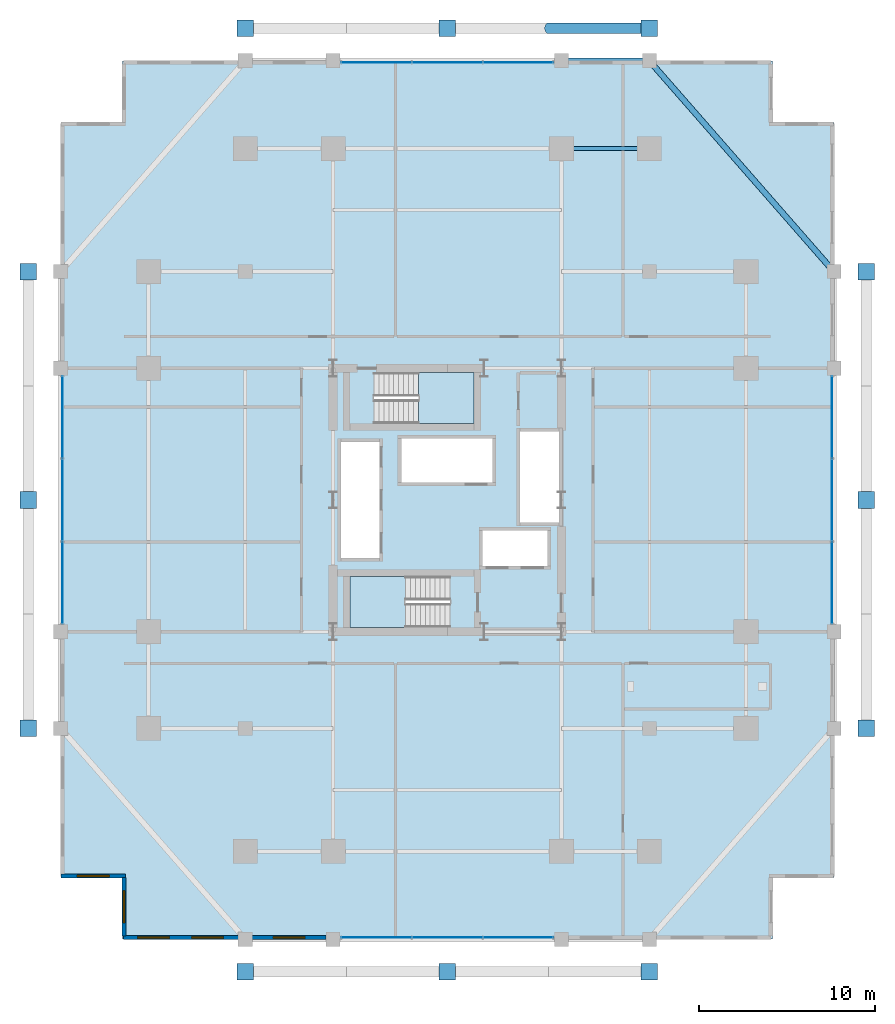
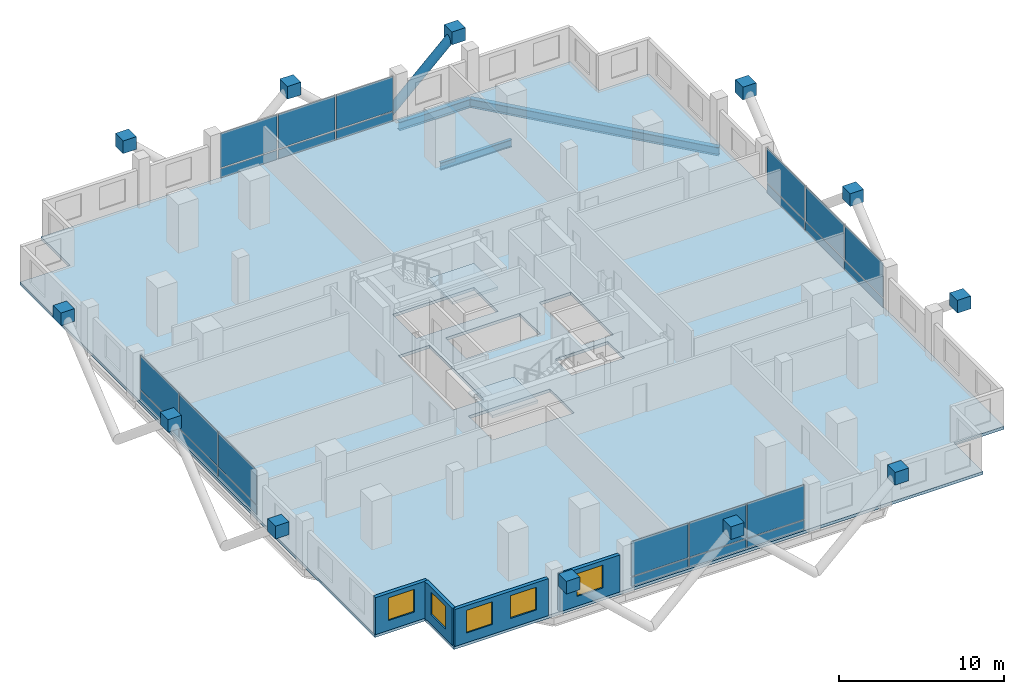
# One storey, part 16 of 21: 36 plates, 5 windows, 4 walls, 3 beams, 3 slabs, 1 member, 5 openings, 6 elements without a shape of their own.
"""IFC4 building model written with IfcOpenShell, lengths in metres."""

import ifcopenshell
import ifcopenshell.guid

model = None  # the IFC model being written
_history = None  # IfcOwnerHistory: only IFC2X3 demands one
_inside = {}  # id of a spatial element -> (the spatial element, [elements in it])
_under = {}  # id of a project, library or spatial element -> (it, [spatial elements below it])
_declared = {}  # id of a project -> (the project, [libraries it declares])
_typed = {}  # id of a type object -> (the type object, [elements of that type])
_made_of = {}  # id of a material, layer set ... -> (it, [elements and type objects made of it])


def new_model(schema):
    """Start an empty IFC model of exactly this schema.

    Asked for "IFC4X3", IfcOpenShell would pick the latest addendum, in which some entities
    have other attributes; the version numbers below select the first issue.
    IFC2X3 requires an IfcOwnerHistory on every rooted entity: one is made here for all.
    """
    global model, _history
    if schema == "IFC4X3":
        model = ifcopenshell.file(schema_version=(4, 3, 0, 0))
    else:
        model = ifcopenshell.file(schema=schema)
    _inside.clear()
    _under.clear()
    _declared.clear()
    _typed.clear()
    _made_of.clear()
    _history = None
    if model.schema == "IFC2X3":
        org = make("IfcOrganization", Name="unknown")
        user = make(
            "IfcPersonAndOrganization",
            ThePerson=make("IfcPerson", FamilyName="unknown"),
            TheOrganization=org,
        )
        app = make(
            "IfcApplication",
            ApplicationDeveloper=org,
            Version="unknown",
            ApplicationFullName="unknown",
            ApplicationIdentifier="unknown",
        )
        _history = make(
            "IfcOwnerHistory",
            OwningUser=user,
            OwningApplication=app,
            ChangeAction="ADDED",
            CreationDate=0,
        )
    return model


def make(cls, **values):
    """One entity of the class cls with the attributes given. An attribute that is None is left unset."""
    return model.create_entity(
        cls, **{name: value for name, value in values.items() if value is not None}
    )


def rooted(cls, **values):
    """An entity with a GlobalId (a new one), such as an element, a storey or a relation."""
    return make(cls, GlobalId=ifcopenshell.guid.new(), OwnerHistory=_history, **values)


def si_unit(unit_type, name, prefix=None):
    """IfcSIUnit, for example si_unit("LENGTHUNIT", "METRE", prefix="MILLI")."""
    return make("IfcSIUnit", UnitType=unit_type, Prefix=prefix, Name=name)


def assignment(units):
    """IfcUnitAssignment: the units of a project."""
    return None if units is None else make("IfcUnitAssignment", Units=units)


def point(xyz):
    """IfcCartesianPoint."""
    return None if xyz is None else make("IfcCartesianPoint", Coordinates=xyz)


def direction(xyz):
    """IfcDirection."""
    return None if xyz is None else make("IfcDirection", DirectionRatios=xyz)


def frame(location, z_axis=None, x_axis=None):
    """IfcAxis2Placement3D, a coordinate frame: its origin and axes. An axis left out is left unset."""
    return make(
        "IfcAxis2Placement3D",
        Location=point(location),
        Axis=direction(z_axis),
        RefDirection=direction(x_axis),
    )


def frame_2d(location, x_axis=None):
    """IfcAxis2Placement2D, a coordinate frame in the plane: its origin and x axis."""
    return make(
        "IfcAxis2Placement2D", Location=point(location), RefDirection=direction(x_axis)
    )


def origin():
    """The frame at (0, 0, 0) with its axes left unset."""
    return frame((0.0, 0.0, 0.0))


def origin_2d():
    """The frame at (0, 0) in the plane with its x axis left unset."""
    return frame_2d((0.0, 0.0))


def place(relative_to, where):
    """IfcLocalPlacement: puts the frame where relative to a parent placement (None: the world)."""
    return make(
        "IfcLocalPlacement", PlacementRelTo=relative_to, RelativePlacement=where
    )


def context(
    kind, dimensions, precision=None, world=None, true_north=None, identifier=None
):
    """IfcGeometricRepresentationContext, for example the 3D "Model" context."""
    return make(
        "IfcGeometricRepresentationContext",
        ContextIdentifier=identifier,
        ContextType=kind,
        CoordinateSpaceDimension=dimensions,
        Precision=precision,
        WorldCoordinateSystem=world,
        TrueNorth=true_north,
    )


def subcontext(parent, identifier, kind, view, scale=None):
    """IfcGeometricRepresentationSubContext, for example "Body" below "Model"."""
    return make(
        "IfcGeometricRepresentationSubContext",
        ContextIdentifier=identifier,
        ContextType=kind,
        ParentContext=parent,
        TargetScale=scale,
        TargetView=view,
    )


def project(units=None, contexts=None):
    """IfcProject with its units and contexts."""
    return rooted(
        "IfcProject",
        Name="project",
        RepresentationContexts=contexts,
        UnitsInContext=assignment(units),
    )


def spatial(cls, under=None, at=None, **own):
    """A site, building, storey or space (cls), placed at a placement, below another one or the project."""
    s = rooted(cls, ObjectPlacement=at, **own)
    if under is not None:
        _under.setdefault(under.id(), (under, []))[1].append(s)
    return s


def polyline(points):
    """IfcPolyline through the points."""
    return make("IfcPolyline", Points=[point(p) for p in points])


def profile(cls, at=None, kind="AREA", **sizes):
    """A parametric profile (cls). Its sizes go by their IFC names, for example OverallWidth=200.0."""
    return make(cls, ProfileType=kind, Position=at, **sizes)


def rectangle(**sizes):
    """IfcRectangleProfileDef."""
    return profile("IfcRectangleProfileDef", **sizes)


def hollow_circle(**sizes):
    """IfcCircleHollowProfileDef."""
    return profile("IfcCircleHollowProfileDef", **sizes)


def i_section(**sizes):
    """IfcIShapeProfileDef."""
    return profile("IfcIShapeProfileDef", **sizes)


def outline(outer, holes=None, kind="AREA"):
    """IfcArbitraryClosedProfileDef: a profile drawn as a closed curve; with holes, ...WithVoids."""
    if holes is None:
        return make("IfcArbitraryClosedProfileDef", ProfileType=kind, OuterCurve=outer)
    return make(
        "IfcArbitraryProfileDefWithVoids",
        ProfileType=kind,
        OuterCurve=outer,
        InnerCurves=holes,
    )


def extrude(swept, where, along, depth):
    """IfcExtrudedAreaSolid: the profile swept, set in the frame where, extruded along a direction by depth."""
    return make(
        "IfcExtrudedAreaSolid",
        SweptArea=swept,
        Position=where,
        ExtrudedDirection=direction(along),
        Depth=depth,
    )


def shape(context_of_items, identifier, shape_type, items):
    """IfcShapeRepresentation: the items that make up one representation, for example the "Body"."""
    return make(
        "IfcShapeRepresentation",
        ContextOfItems=context_of_items,
        RepresentationIdentifier=identifier,
        RepresentationType=shape_type,
        Items=items,
    )


def material(Name=None, Category=None):
    """IfcMaterial."""
    return make("IfcMaterial", Name=Name, Category=Category)


def layer(
    of_material, thickness, ventilated=None, Name=None, Category=None, Priority=None
):
    """IfcMaterialLayer: one layer of a wall or slab, of a material (None: an air gap)."""
    return make(
        "IfcMaterialLayer",
        Material=of_material,
        LayerThickness=thickness,
        IsVentilated=ventilated,
        Name=Name,
        Category=Category,
        Priority=Priority,
    )


def layer_set(layers, Name=None):
    """IfcMaterialLayerSet."""
    return make("IfcMaterialLayerSet", MaterialLayers=layers, LayerSetName=Name)


def material_profile(
    of_material, cross_section, Name=None, Category=None, Priority=None
):
    """IfcMaterialProfile: a cross section and its material."""
    return make(
        "IfcMaterialProfile",
        Name=Name,
        Material=of_material,
        Profile=cross_section,
        Priority=Priority,
        Category=Category,
    )


def profile_set(profiles, Name=None, composite=None):
    """IfcMaterialProfileSet."""
    return make(
        "IfcMaterialProfileSet",
        Name=Name,
        MaterialProfiles=profiles,
        CompositeProfile=composite,
    )


def made_of(thing, what):
    """Note that an element or type object is made of a material, layer set ...; save() writes the relation."""
    if what is not None:
        _made_of.setdefault(what.id(), (what, []))[1].append(thing)
    return thing


def type_object(cls, material=None, **own):
    """A type object (cls), such as IfcWallType, which elements share."""
    return made_of(rooted(cls, **own), material)


def element(
    cls,
    number,
    at=None,
    inside=None,
    cuts=None,
    type_object=None,
    material=None,
    context=None,
    identifier="Body",
    shape_type=None,
    held_by="IfcProductDefinitionShape",
    body=None,
    shapes=None,
    **own,
):
    """One element of the class cls, such as IfcWall. Its Tag is "e" and its number.

    at: its placement. inside: the storey or other place that contains it. cuts: it is an
    opening in that element (IfcRelVoidsElement). A single representation is given by context,
    identifier, shape_type and body (its items); several are given by shapes. held_by: the class
    of the entity that holds the representations. save() writes the other relations.
    """
    e = rooted(cls, Tag="e%d" % number, ObjectPlacement=at, **own)
    if body is not None:
        shapes = [shape(context, identifier, shape_type, body)]
    if shapes is not None:
        e.Representation = make(held_by, Representations=shapes)
    if inside is not None:
        _inside.setdefault(inside.id(), (inside, []))[1].append(e)
    if cuts is not None:
        rooted(
            "IfcRelVoidsElement", RelatingBuildingElement=cuts, RelatedOpeningElement=e
        )
    if type_object is not None:
        _typed.setdefault(type_object.id(), (type_object, []))[1].append(e)
    return made_of(e, material)


def fill(opening, filler):
    """IfcRelFillsElement: the door or window that sits in an opening."""
    return rooted(
        "IfcRelFillsElement",
        RelatingOpeningElement=opening,
        RelatedBuildingElement=filler,
    )


def aggregate(whole, parts):
    """IfcRelAggregates: a whole, such as a stair, and the parts it consists of."""
    return rooted("IfcRelAggregates", RelatingObject=whole, RelatedObjects=parts)


def save(model, path):
    """Write the relations noted so far, then the file.

    IfcRelAggregates (storeys below a building ...), IfcRelContainedInSpatialStructure (elements
    in a storey), IfcRelDefinesByType, IfcRelAssociatesMaterial and IfcRelDeclares: one each for
    every whole, place, type object, material and project.
    """
    for whole, parts in _under.values():
        aggregate(whole, parts)
    for where, things in _inside.values():
        rooted(
            "IfcRelContainedInSpatialStructure",
            RelatedElements=things,
            RelatingStructure=where,
        )
    for kind, things in _typed.values():
        rooted("IfcRelDefinesByType", RelatedObjects=things, RelatingType=kind)
    for what, things in _made_of.values():
        rooted("IfcRelAssociatesMaterial", RelatedObjects=things, RelatingMaterial=what)
    for by, libraries in _declared.values():
        rooted("IfcRelDeclares", RelatingContext=by, RelatedDefinitions=libraries)
    model.write(path)


model = new_model("IFC4")

# Units and contexts
model_context = context("Model", 3, precision=1e-05, world=origin(), true_north=direction((0.0, 1.0)))
body_context = subcontext(model_context, "Body", "Model", "MODEL_VIEW")
ifc_project = project(units=[si_unit("LENGTHUNIT", "METRE"), si_unit("AREAUNIT", "SQUARE_METRE"), si_unit("VOLUMEUNIT", "CUBIC_METRE"), si_unit("PLANEANGLEUNIT", "RADIAN"), si_unit("MASSUNIT", "GRAM", prefix="KILO")], contexts=[model_context])

# Site, building, storey
site_placement = place(None, origin())
site = spatial("IfcSite", under=ifc_project, at=site_placement, CompositionType="ELEMENT")
building_placement = place(site_placement, origin())
building = spatial("IfcBuilding", under=site, at=building_placement, Name="Barlavira Tower and Art Museum", CompositionType="ELEMENT")
storey_placement = place(building_placement, frame((0.0, 0.0, 79.199951171875)))
storey = spatial("IfcBuildingStorey", under=building, at=storey_placement, Name="L19", CompositionType="ELEMENT", Elevation=79.199951171875)

# Member
ifc_material_1 = material(Name="Steel S355", Category="steel")
ifc_material_profile_1 = material_profile(ifc_material_1, hollow_circle(Radius=0.304931640625, WallThickness=0.028076171875, at=origin_2d()), Name="CHS 610.0x28.0")
ifc_profile_set_1 = profile_set([ifc_material_profile_1], Name="Steel S355")
member_type = type_object("IfcMemberType", Name="Pale-Metal Exoskeleton Diagrid Tube CHS 610x28 Steel S355", PredefinedType="BRACE", material=ifc_profile_set_1)
member_placement = place(storey_placement, frame((5.75, 26.85009765625, -1.919921875), z_axis=(0.728950095515, 0.0, 0.684566839869), x_axis=(0.0, 1.0, 0.0)))
element("IfcMember", 1, at=member_placement, inside=storey, type_object=member_type, Name="L19 Exoskeleton Diagrid Tube N", PredefinedType="BRACE", context=body_context, shape_type="SweptSolid", body=[
    extrude(hollow_circle(Radius=0.304931640625, WallThickness=0.028076171875, at=origin_2d()), origin(), (0.0, 0.0, 1.0), 7.887939453125),
])

# Beams
ifc_material_profile_2 = material_profile(ifc_material_1, i_section(OverallWidth=0.327880859375, OverallDepth=0.62890625, WebThickness=0.013916015625, FlangeThickness=0.021484375, at=origin_2d()), Name="W610x174.0")
ifc_profile_set_2 = profile_set([ifc_material_profile_2], Name="Steel S355")
beam_type_1 = type_object("IfcBeamType", Name="Perimeter Spandrel Edge Beam W610x174 Steel S355", PredefinedType="SPANDREL", material=ifc_profile_set_2)
beam_1_placement = place(storey_placement, frame((22.0, 13.0, -0.534423828125), z_axis=(-0.658504607869, 0.752576694707, 0.0), x_axis=(-0.752576694707, -0.658504607869, 0.0)))
element("IfcBeam", 2, at=beam_1_placement, inside=storey, type_object=beam_type_1, Name="L19 Spandrel 8", PredefinedType="SPANDREL", context=body_context, shape_type="SweptSolid", body=[
    extrude(i_section(OverallWidth=0.327880859375, OverallDepth=0.62890625, WebThickness=0.013916015625, FlangeThickness=0.021484375, at=origin_2d()), origin(), (0.0, 0.0, 1.0), 15.9453125),
])
beam_2_placement = place(storey_placement, frame((6.5, 25.0, -0.534423828125), z_axis=(1.0, 0.0, 0.0), x_axis=(0.0, 1.0, 0.0)))
element("IfcBeam", 3, at=beam_2_placement, inside=storey, type_object=beam_type_1, Name="L19 Spandrel 9", PredefinedType="SPANDREL", context=body_context, shape_type="SweptSolid", body=[
    extrude(i_section(OverallWidth=0.327880859375, OverallDepth=0.62890625, WebThickness=0.013916015625, FlangeThickness=0.021484375, at=origin_2d()), origin(), (0.0, 0.0, 1.0), 5.0),
])
ifc_material_profile_3 = material_profile(ifc_material_1, i_section(OverallWidth=0.214111328125, OverallDepth=0.549072265625, WebThickness=0.0146484375, FlangeThickness=0.023681640625, at=origin_2d()), Name="W530x138.0")
ifc_profile_set_3 = profile_set([ifc_material_profile_3], Name="Steel S355")
beam_type_2 = type_object("IfcBeamType", Name="Zone 1 Primary Floor Girder W530x138 Steel S355", PredefinedType="BEAM", material=ifc_profile_set_3)
beam_3_placement = place(storey_placement, frame((6.5, 20.0, -0.494384765625), z_axis=(1.0, 0.0, 0.0), x_axis=(0.0, 1.0, 0.0)))
element("IfcBeam", 4, at=beam_3_placement, inside=storey, type_object=beam_type_2, Name="L19 Girder M-N3", PredefinedType="BEAM", context=body_context, shape_type="SweptSolid", body=[
    extrude(i_section(OverallWidth=0.214111328125, OverallDepth=0.549072265625, WebThickness=0.0146484375, FlangeThickness=0.023681640625, at=origin_2d()), origin(), (0.0, 0.0, 1.0), 5.0),
])

# Curtain wall, plates
ifc_material_2 = material(Name="Low-iron coastal laminated glass", Category="glass")
ifc_layer_1 = layer(ifc_material_2, 0.179931640625, Name="Low-iron coastal laminated glass")
ifc_layer_set_1 = layer_set([ifc_layer_1], Name="Low-iron coastal laminated glass")
curtain_wall_type = type_object("IfcCurtainWallType", Name="Pale-Metal Unitised Curtain Wall Zone 1", PredefinedType="NOTDEFINED", material=ifc_layer_set_1)
curtain_wall_1_placement = place(storey_placement, origin())
curtain_wall_1 = element("IfcCurtainWall", 5, at=curtain_wall_1_placement, inside=storey, type_object=curtain_wall_type, Name="L19 Curtain Wall CW1-L19-S-B3", PredefinedType="NOTDEFINED")
ifc_material_3 = material(Name="Pale anodised aluminium", Category="aluminium")
ifc_layer_2 = layer(ifc_material_3, 0.044921875, Name="Pale anodised aluminium")
ifc_layer_set_2 = layer_set([ifc_layer_2], Name="Pale anodised aluminium")
plate_type_1 = type_object("IfcPlateType", Name="Curtain Wall Pale-Metal Spandrel Panel 45", PredefinedType="CURTAIN_PANEL", material=ifc_layer_set_2)
plate_1_placement = place(storey_placement, frame((-4.05322265625, -24.89990234375, 0.0400390625), z_axis=(0.0, 0.0, 1.0), x_axis=(1.0, 0.0, 0.0)))
plate_1 = element("IfcPlate", 6, at=plate_1_placement, type_object=plate_type_1, Name="CW1-L19-S-B3 Spandrel Panel 0", PredefinedType="CURTAIN_PANEL", context=body_context, shape_type="SweptSolid", body=[
    extrude(rectangle(XDim=3.953369140625, YDim=0.044921875, at=origin_2d()), origin(), (0.0, 0.0, 1.0), 0.6640625),
])
plate_2_placement = place(storey_placement, frame((0.0, -24.89990234375, 0.0400390625), z_axis=(0.0, 0.0, 1.0), x_axis=(1.0, 0.0, 0.0)))
plate_2 = element("IfcPlate", 7, at=plate_2_placement, type_object=plate_type_1, Name="CW1-L19-S-B3 Spandrel Panel 1", PredefinedType="CURTAIN_PANEL", context=body_context, shape_type="SweptSolid", body=[
    extrude(rectangle(XDim=3.953369140625, YDim=0.044921875, at=origin_2d()), origin(), (0.0, 0.0, 1.0), 0.6640625),
])
plate_3_placement = place(storey_placement, frame((4.05322265625, -24.89990234375, 0.0400390625), z_axis=(0.0, 0.0, 1.0), x_axis=(1.0, 0.0, 0.0)))
plate_3 = element("IfcPlate", 8, at=plate_3_placement, type_object=plate_type_1, Name="CW1-L19-S-B3 Spandrel Panel 2", PredefinedType="CURTAIN_PANEL", context=body_context, shape_type="SweptSolid", body=[
    extrude(rectangle(XDim=3.953369140625, YDim=0.044921875, at=origin_2d()), origin(), (0.0, 0.0, 1.0), 0.6640625),
])

curtain_wall_2_placement = place(storey_placement, origin())
curtain_wall_2 = element("IfcCurtainWall", 9, at=curtain_wall_2_placement, inside=storey, type_object=curtain_wall_type, Name="L19 Curtain Wall CW1-L19-N-B3", PredefinedType="NOTDEFINED")
plate_4_placement = place(storey_placement, frame((4.05322265625, 24.89990234375, 0.0400390625), z_axis=(0.0, 0.0, 1.0), x_axis=(-1.0, 0.0, 0.0)))
plate_4 = element("IfcPlate", 10, at=plate_4_placement, type_object=plate_type_1, Name="CW1-L19-N-B3 Spandrel Panel 0", PredefinedType="CURTAIN_PANEL", context=body_context, shape_type="SweptSolid", body=[
    extrude(rectangle(XDim=3.953369140625, YDim=0.044921875, at=origin_2d()), origin(), (0.0, 0.0, 1.0), 0.6640625),
])
plate_5_placement = place(storey_placement, frame((0.0, 24.89990234375, 0.0400390625), z_axis=(0.0, 0.0, 1.0), x_axis=(-1.0, 0.0, 0.0)))
plate_5 = element("IfcPlate", 11, at=plate_5_placement, type_object=plate_type_1, Name="CW1-L19-N-B3 Spandrel Panel 1", PredefinedType="CURTAIN_PANEL", context=body_context, shape_type="SweptSolid", body=[
    extrude(rectangle(XDim=3.953369140625, YDim=0.044921875, at=origin_2d()), origin(), (0.0, 0.0, 1.0), 0.6640625),
])
plate_6_placement = place(storey_placement, frame((-4.05322265625, 24.89990234375, 0.0400390625), z_axis=(0.0, 0.0, 1.0), x_axis=(-1.0, 0.0, 0.0)))
plate_6 = element("IfcPlate", 12, at=plate_6_placement, type_object=plate_type_1, Name="CW1-L19-N-B3 Spandrel Panel 2", PredefinedType="CURTAIN_PANEL", context=body_context, shape_type="SweptSolid", body=[
    extrude(rectangle(XDim=3.953369140625, YDim=0.044921875, at=origin_2d()), origin(), (0.0, 0.0, 1.0), 0.6640625),
])

curtain_wall_3_placement = place(storey_placement, origin())
curtain_wall_3 = element("IfcCurtainWall", 13, at=curtain_wall_3_placement, inside=storey, type_object=curtain_wall_type, Name="L19 Curtain Wall CW1-L19-W-B3", PredefinedType="NOTDEFINED")
plate_7_placement = place(storey_placement, frame((-21.89990234375, 4.719970703125, 0.0400390625), z_axis=(0.0, 0.0, 1.0), x_axis=(0.0, -1.0, 0.0)))
plate_7 = element("IfcPlate", 14, at=plate_7_placement, type_object=plate_type_1, Name="CW1-L19-W-B3 Spandrel Panel 0", PredefinedType="CURTAIN_PANEL", context=body_context, shape_type="SweptSolid", body=[
    extrude(rectangle(XDim=4.6201171875, YDim=0.044921875, at=origin_2d()), origin(), (0.0, 0.0, 1.0), 0.6640625),
])
plate_8_placement = place(storey_placement, frame((-21.89990234375, 0.0, 0.0400390625), z_axis=(0.0, 0.0, 1.0), x_axis=(0.0, -1.0, 0.0)))
plate_8 = element("IfcPlate", 15, at=plate_8_placement, type_object=plate_type_1, Name="CW1-L19-W-B3 Spandrel Panel 1", PredefinedType="CURTAIN_PANEL", context=body_context, shape_type="SweptSolid", body=[
    extrude(rectangle(XDim=4.6201171875, YDim=0.044921875, at=origin_2d()), origin(), (0.0, 0.0, 1.0), 0.6640625),
])
plate_9_placement = place(storey_placement, frame((-21.89990234375, -4.719970703125, 0.0400390625), z_axis=(0.0, 0.0, 1.0), x_axis=(0.0, -1.0, 0.0)))
plate_9 = element("IfcPlate", 16, at=plate_9_placement, type_object=plate_type_1, Name="CW1-L19-W-B3 Spandrel Panel 2", PredefinedType="CURTAIN_PANEL", context=body_context, shape_type="SweptSolid", body=[
    extrude(rectangle(XDim=4.6201171875, YDim=0.044921875, at=origin_2d()), origin(), (0.0, 0.0, 1.0), 0.6640625),
])

curtain_wall_4_placement = place(storey_placement, origin())
curtain_wall_4 = element("IfcCurtainWall", 17, at=curtain_wall_4_placement, inside=storey, type_object=curtain_wall_type, Name="L19 Curtain Wall CW1-L19-E-B3", PredefinedType="NOTDEFINED")
plate_10_placement = place(storey_placement, frame((21.89990234375, -4.719970703125, 0.0400390625), z_axis=(0.0, 0.0, 1.0), x_axis=(0.0, 1.0, 0.0)))
plate_10 = element("IfcPlate", 18, at=plate_10_placement, type_object=plate_type_1, Name="CW1-L19-E-B3 Spandrel Panel 0", PredefinedType="CURTAIN_PANEL", context=body_context, shape_type="SweptSolid", body=[
    extrude(rectangle(XDim=4.6201171875, YDim=0.044921875, at=origin_2d()), origin(), (0.0, 0.0, 1.0), 0.6640625),
])
plate_11_placement = place(storey_placement, frame((21.89990234375, 0.0, 0.0400390625), z_axis=(0.0, 0.0, 1.0), x_axis=(0.0, 1.0, 0.0)))
plate_11 = element("IfcPlate", 19, at=plate_11_placement, type_object=plate_type_1, Name="CW1-L19-E-B3 Spandrel Panel 1", PredefinedType="CURTAIN_PANEL", context=body_context, shape_type="SweptSolid", body=[
    extrude(rectangle(XDim=4.6201171875, YDim=0.044921875, at=origin_2d()), origin(), (0.0, 0.0, 1.0), 0.6640625),
])
plate_12_placement = place(storey_placement, frame((21.89990234375, 4.719970703125, 0.0400390625), z_axis=(0.0, 0.0, 1.0), x_axis=(0.0, 1.0, 0.0)))
plate_12 = element("IfcPlate", 20, at=plate_12_placement, type_object=plate_type_1, Name="CW1-L19-E-B3 Spandrel Panel 2", PredefinedType="CURTAIN_PANEL", context=body_context, shape_type="SweptSolid", body=[
    extrude(rectangle(XDim=4.6201171875, YDim=0.044921875, at=origin_2d()), origin(), (0.0, 0.0, 1.0), 0.6640625),
])

# Plate
ifc_layer_3 = layer(ifc_material_2, 0.028076171875, Name="Low-iron coastal laminated glass")
ifc_layer_set_3 = layer_set([ifc_layer_3], Name="Low-iron coastal laminated glass")
plate_type_2 = type_object("IfcPlateType", Name="Curtain Wall Vision Glazing Panel 28", PredefinedType="CURTAIN_PANEL", material=ifc_layer_set_3)
plate_13_placement = place(storey_placement, frame((-4.05322265625, -24.89990234375, 0.7841796875), z_axis=(0.0, 0.0, 1.0), x_axis=(1.0, 0.0, 0.0)))
plate_13 = element("IfcPlate", 21, at=plate_13_placement, type_object=plate_type_2, Name="CW1-L19-S-B3 Vision Glass Panel 0", PredefinedType="CURTAIN_PANEL", context=body_context, shape_type="SweptSolid", body=[
    extrude(rectangle(XDim=3.953369140625, YDim=0.028076171875, at=origin_2d()), origin(), (0.0, 0.0, 1.0), 2.555908203125),
])

plate_14_placement = place(storey_placement, frame((0.0, -24.89990234375, 0.7841796875), z_axis=(0.0, 0.0, 1.0), x_axis=(1.0, 0.0, 0.0)))
plate_14 = element("IfcPlate", 22, at=plate_14_placement, type_object=plate_type_2, Name="CW1-L19-S-B3 Vision Glass Panel 1", PredefinedType="CURTAIN_PANEL", context=body_context, shape_type="SweptSolid", body=[
    extrude(rectangle(XDim=3.953369140625, YDim=0.028076171875, at=origin_2d()), origin(), (0.0, 0.0, 1.0), 2.555908203125),
])

plate_15_placement = place(storey_placement, frame((4.05322265625, -24.89990234375, 0.7841796875), z_axis=(0.0, 0.0, 1.0), x_axis=(1.0, 0.0, 0.0)))
plate_15 = element("IfcPlate", 23, at=plate_15_placement, type_object=plate_type_2, Name="CW1-L19-S-B3 Vision Glass Panel 2", PredefinedType="CURTAIN_PANEL", context=body_context, shape_type="SweptSolid", body=[
    extrude(rectangle(XDim=3.953369140625, YDim=0.028076171875, at=origin_2d()), origin(), (0.0, 0.0, 1.0), 2.555908203125),
])

aggregate(curtain_wall_1, [plate_1, plate_13, plate_2, plate_14, plate_3, plate_15])

plate_16_placement = place(storey_placement, frame((4.05322265625, 24.89990234375, 0.7841796875), z_axis=(0.0, 0.0, 1.0), x_axis=(-1.0, 0.0, 0.0)))
plate_16 = element("IfcPlate", 24, at=plate_16_placement, type_object=plate_type_2, Name="CW1-L19-N-B3 Vision Glass Panel 0", PredefinedType="CURTAIN_PANEL", context=body_context, shape_type="SweptSolid", body=[
    extrude(rectangle(XDim=3.953369140625, YDim=0.028076171875, at=origin_2d()), origin(), (0.0, 0.0, 1.0), 2.555908203125),
])

plate_17_placement = place(storey_placement, frame((0.0, 24.89990234375, 0.7841796875), z_axis=(0.0, 0.0, 1.0), x_axis=(-1.0, 0.0, 0.0)))
plate_17 = element("IfcPlate", 25, at=plate_17_placement, type_object=plate_type_2, Name="CW1-L19-N-B3 Vision Glass Panel 1", PredefinedType="CURTAIN_PANEL", context=body_context, shape_type="SweptSolid", body=[
    extrude(rectangle(XDim=3.953369140625, YDim=0.028076171875, at=origin_2d()), origin(), (0.0, 0.0, 1.0), 2.555908203125),
])

plate_18_placement = place(storey_placement, frame((-4.05322265625, 24.89990234375, 0.7841796875), z_axis=(0.0, 0.0, 1.0), x_axis=(-1.0, 0.0, 0.0)))
plate_18 = element("IfcPlate", 26, at=plate_18_placement, type_object=plate_type_2, Name="CW1-L19-N-B3 Vision Glass Panel 2", PredefinedType="CURTAIN_PANEL", context=body_context, shape_type="SweptSolid", body=[
    extrude(rectangle(XDim=3.953369140625, YDim=0.028076171875, at=origin_2d()), origin(), (0.0, 0.0, 1.0), 2.555908203125),
])

aggregate(curtain_wall_2, [plate_4, plate_16, plate_5, plate_17, plate_6, plate_18])

plate_19_placement = place(storey_placement, frame((-21.89990234375, 4.719970703125, 0.7841796875), z_axis=(0.0, 0.0, 1.0), x_axis=(0.0, -1.0, 0.0)))
plate_19 = element("IfcPlate", 27, at=plate_19_placement, type_object=plate_type_2, Name="CW1-L19-W-B3 Vision Glass Panel 0", PredefinedType="CURTAIN_PANEL", context=body_context, shape_type="SweptSolid", body=[
    extrude(rectangle(XDim=4.6201171875, YDim=0.028076171875, at=origin_2d()), origin(), (0.0, 0.0, 1.0), 2.555908203125),
])

plate_20_placement = place(storey_placement, frame((-21.89990234375, 0.0, 0.7841796875), z_axis=(0.0, 0.0, 1.0), x_axis=(0.0, -1.0, 0.0)))
plate_20 = element("IfcPlate", 28, at=plate_20_placement, type_object=plate_type_2, Name="CW1-L19-W-B3 Vision Glass Panel 1", PredefinedType="CURTAIN_PANEL", context=body_context, shape_type="SweptSolid", body=[
    extrude(rectangle(XDim=4.6201171875, YDim=0.028076171875, at=origin_2d()), origin(), (0.0, 0.0, 1.0), 2.555908203125),
])

plate_21_placement = place(storey_placement, frame((-21.89990234375, -4.719970703125, 0.7841796875), z_axis=(0.0, 0.0, 1.0), x_axis=(0.0, -1.0, 0.0)))
plate_21 = element("IfcPlate", 29, at=plate_21_placement, type_object=plate_type_2, Name="CW1-L19-W-B3 Vision Glass Panel 2", PredefinedType="CURTAIN_PANEL", context=body_context, shape_type="SweptSolid", body=[
    extrude(rectangle(XDim=4.6201171875, YDim=0.028076171875, at=origin_2d()), origin(), (0.0, 0.0, 1.0), 2.555908203125),
])

aggregate(curtain_wall_3, [plate_7, plate_19, plate_8, plate_20, plate_9, plate_21])

plate_22_placement = place(storey_placement, frame((21.89990234375, -4.719970703125, 0.7841796875), z_axis=(0.0, 0.0, 1.0), x_axis=(0.0, 1.0, 0.0)))
plate_22 = element("IfcPlate", 30, at=plate_22_placement, type_object=plate_type_2, Name="CW1-L19-E-B3 Vision Glass Panel 0", PredefinedType="CURTAIN_PANEL", context=body_context, shape_type="SweptSolid", body=[
    extrude(rectangle(XDim=4.6201171875, YDim=0.028076171875, at=origin_2d()), origin(), (0.0, 0.0, 1.0), 2.555908203125),
])

plate_23_placement = place(storey_placement, frame((21.89990234375, 0.0, 0.7841796875), z_axis=(0.0, 0.0, 1.0), x_axis=(0.0, 1.0, 0.0)))
plate_23 = element("IfcPlate", 31, at=plate_23_placement, type_object=plate_type_2, Name="CW1-L19-E-B3 Vision Glass Panel 1", PredefinedType="CURTAIN_PANEL", context=body_context, shape_type="SweptSolid", body=[
    extrude(rectangle(XDim=4.6201171875, YDim=0.028076171875, at=origin_2d()), origin(), (0.0, 0.0, 1.0), 2.555908203125),
])

plate_24_placement = place(storey_placement, frame((21.89990234375, 4.719970703125, 0.7841796875), z_axis=(0.0, 0.0, 1.0), x_axis=(0.0, 1.0, 0.0)))
plate_24 = element("IfcPlate", 32, at=plate_24_placement, type_object=plate_type_2, Name="CW1-L19-E-B3 Vision Glass Panel 2", PredefinedType="CURTAIN_PANEL", context=body_context, shape_type="SweptSolid", body=[
    extrude(rectangle(XDim=4.6201171875, YDim=0.028076171875, at=origin_2d()), origin(), (0.0, 0.0, 1.0), 2.555908203125),
])

aggregate(curtain_wall_4, [plate_10, plate_22, plate_11, plate_23, plate_12, plate_24])

# Plates
ifc_layer_4 = layer(ifc_material_1, 0.93994140625, Name="Steel S355")
ifc_layer_set_4 = layer_set([ifc_layer_4], Name="Steel S355")
plate_type_3 = type_object("IfcPlateType", Name="Exoskeleton Solid Steel Node Cap Plate Assembly Type 1 Steel S355", PredefinedType="USERDEFINED", material=ifc_layer_set_4)
for number, where, z_axis, x_axis, name in (
    (33, (-11.5, -26.85009765625, 3.010009765625), (0.0, 0.0, 1.0), (1.0, 0.0, 0.0), "Exoskeleton Node S ND-L19-0141"),
    (34, (0.0, -26.85009765625, 3.010009765625), (0.0, 0.0, 1.0), (1.0, 0.0, 0.0), "Exoskeleton Node S ND-L19-0142"),
    (35, (11.5, -26.85009765625, 3.010009765625), (0.0, 0.0, 1.0), (1.0, 0.0, 0.0), "Exoskeleton Node S ND-L19-0143"),
    (36, (-11.5, 26.85009765625, 3.010009765625), (0.0, 0.0, 1.0), (1.0, 0.0, 0.0), "Exoskeleton Node N ND-L19-0149"),
    (37, (0.0, 26.85009765625, 3.010009765625), (0.0, 0.0, 1.0), (1.0, 0.0, 0.0), "Exoskeleton Node N ND-L19-0150"),
    (38, (11.5, 26.85009765625, 3.010009765625), (0.0, 0.0, 1.0), (1.0, 0.0, 0.0), "Exoskeleton Node N ND-L19-0151"),
    (39, (-23.85009765625, -13.0, 3.010009765625), (0.0, 0.0, 1.0), (1.0, 0.0, 0.0), "Exoskeleton Node W ND-L19-0157"),
    (40, (-23.85009765625, 0.0, 3.010009765625), (0.0, 0.0, 1.0), (1.0, 0.0, 0.0), "Exoskeleton Node W ND-L19-0158"),
    (41, (-23.85009765625, 13.0, 3.010009765625), (0.0, 0.0, 1.0), (1.0, 0.0, 0.0), "Exoskeleton Node W ND-L19-0159"),
    (42, (23.85009765625, -13.0, 3.010009765625), (0.0, 0.0, 1.0), (1.0, 0.0, 0.0), "Exoskeleton Node E ND-L19-0165"),
    (43, (23.85009765625, 0.0, 3.010009765625), (0.0, 0.0, 1.0), (1.0, 0.0, 0.0), "Exoskeleton Node E ND-L19-0166"),
    (44, (23.85009765625, 13.0, 3.010009765625), (0.0, 0.0, 1.0), (1.0, 0.0, 0.0), "Exoskeleton Node E ND-L19-0167"),
):
    element("IfcPlate", number, at=place(storey_placement, frame(where, z_axis=z_axis, x_axis=x_axis)), inside=storey, type_object=plate_type_3, Name=name, ObjectType="FLANGE_PLATE", PredefinedType="USERDEFINED", context=body_context, shape_type="SweptSolid", body=[
        extrude(rectangle(XDim=0.93994140625, YDim=0.93994140625, at=origin_2d()), origin(), (0.0, 0.0, 1.0), 0.93994140625),
    ])

# Stair, slab
ifc_material_4 = material(Name="Concrete C45", Category="concrete")
stair_type_1 = type_object("IfcStairType", Name="Tower North Dog-Leg Exit Stair Assembly Concrete C45", PredefinedType="TWO_QUARTER_TURN_STAIR", material=ifc_material_4)
stair_1_placement = place(storey_placement, origin())
stair_1 = element("IfcStair", 45, at=stair_1_placement, inside=storey, type_object=stair_type_1, Name="L19 Tower North Exit Stair ST-T2", PredefinedType="TWO_QUARTER_TURN_STAIR")
ifc_layer_5 = layer(ifc_material_4, 0.199951171875, Name="Concrete C45")
ifc_layer_set_5 = layer_set([ifc_layer_5], Name="Concrete C45")
slab_type_1 = type_object("IfcSlabType", Name="Tower North Dog-Leg Exit Stair Half-Landing Slab 200 Concrete C45", PredefinedType="LANDING", material=ifc_layer_set_5)
slab_1_placement = place(storey_placement, frame((0.0, 0.0, 1.60009765625)))
slab_1 = element("IfcSlab", 46, at=slab_1_placement, type_object=slab_type_1, Name="ST-T2 landing 1", PredefinedType="LANDING", context=body_context, shape_type="SweptSolid", body=[
    extrude(outline(polyline([(-1.64990234375, 4.35009765625), (1.530029296875, 4.35009765625), (1.530029296875, 7.25), (-1.64990234375, 7.25), (-1.64990234375, 4.35009765625)])), origin(), (0.0, 0.0, 1.0), 0.199951171875),
])
aggregate(stair_1, [slab_1])

stair_type_2 = type_object("IfcStairType", Name="Tower South Dog-Leg Exit Stair Assembly Concrete C45", PredefinedType="TWO_QUARTER_TURN_STAIR", material=ifc_material_4)
stair_2_placement = place(storey_placement, origin())
stair_2 = element("IfcStair", 47, at=stair_2_placement, inside=storey, type_object=stair_type_2, Name="L19 Tower South Exit Stair ST-T1", PredefinedType="TWO_QUARTER_TURN_STAIR")
ifc_layer_6 = layer(ifc_material_4, 0.199951171875, Name="Concrete C45")
ifc_layer_set_6 = layer_set([ifc_layer_6], Name="Concrete C45")
slab_type_2 = type_object("IfcSlabType", Name="Tower South Dog-Leg Exit Stair Half-Landing Slab 200 Concrete C45", PredefinedType="LANDING", material=ifc_layer_set_6)
slab_2_placement = place(storey_placement, frame((0.0, 0.0, 1.60009765625)))
slab_2 = element("IfcSlab", 48, at=slab_2_placement, type_object=slab_type_2, Name="ST-T1 landing 1", PredefinedType="LANDING", context=body_context, shape_type="SweptSolid", body=[
    extrude(outline(polyline([(-2.3701171875, -4.35009765625), (-5.550048828125, -4.35009765625), (-5.550048828125, -7.25), (-2.3701171875, -7.25), (-2.3701171875, -4.35009765625)])), origin(), (0.0, 0.0, 1.0), 0.199951171875),
])
aggregate(stair_2, [slab_2])

# Slab
ifc_material_5 = material(Name="Concrete C50", Category="concrete")
ifc_layer_7 = layer(ifc_material_5, 0.219970703125, Name="Concrete C50")
ifc_layer_set_7 = layer_set([ifc_layer_7], Name="Concrete C50")
slab_type_3 = type_object("IfcSlabType", Name="Zone 1 Residential Composite Slab 220 Concrete C50", PredefinedType="FLOOR", material=ifc_layer_set_7)
slab_3_placement = place(storey_placement, frame((0.0, 0.0, -0.219970703125)))
element("IfcSlab", 49, at=slab_3_placement, inside=storey, type_object=slab_type_3, Name="L19 Tower Floor Slab", PredefinedType="FLOOR", context=body_context, shape_type="SweptSolid", body=[
    extrude(outline(polyline([(-18.5, -25.0), (18.5, -25.0), (18.5, -21.5), (22.0, -21.5), (22.0, 21.5), (18.5, 21.5), (18.5, 25.0), (-18.5, 25.0), (-18.5, 21.5), (-22.0, 21.5), (-22.0, -21.5), (-18.5, -21.5), (-18.5, -25.0)]), holes=[polyline([(0.14990234375, -4.35009765625), (-5.550048828125, -4.35009765625), (-5.550048828125, -7.25), (0.14990234375, -7.25), (0.14990234375, -4.35009765625)]), polyline([(-4.169921875, 4.35009765625), (1.530029296875, 4.35009765625), (1.530029296875, 7.25), (-4.169921875, 7.25), (-4.169921875, 4.35009765625)]), polyline([(-6.050048828125, -3.31005859375), (-3.85009765625, -3.31005859375), (-3.85009765625, 3.31005859375), (-6.050048828125, 3.31005859375), (-6.050048828125, -3.31005859375)]), polyline([(4.14990234375, -1.2900390625), (6.35009765625, -1.2900390625), (6.35009765625, 3.889892578125), (4.14990234375, 3.889892578125), (4.14990234375, -1.2900390625)]), polyline([(-2.6201171875, 1.0), (2.56005859375, 1.0), (2.56005859375, 3.5), (-2.6201171875, 3.5), (-2.6201171875, 1.0)]), polyline([(2.0, -3.75), (5.699951171875, -3.75), (5.699951171875, -1.75), (2.0, -1.75), (2.0, -3.75)])]), origin(), (0.0, 0.0, 1.0), 0.219970703125),
])

# Wall, openings, windows
ifc_material_6 = material(Name="Precast concrete C40", Category="concrete")
ifc_layer_8 = layer(ifc_material_6, 0.25, Name="Precast concrete C40")
ifc_layer_set_8 = layer_set([ifc_layer_8], Name="Precast concrete C40")
wall_type = type_object("IfcWallType", Name="Notched Corner Spandrel Wall 250 Precast Concrete C40", PredefinedType="SOLIDWALL", material=ifc_layer_set_8)
wall_1_placement = place(storey_placement, frame((-18.425048828125, -24.89990234375, 0.0), z_axis=(0.0, 0.0, 1.0), x_axis=(1.0, 0.0, 0.0)))
wall_1 = element("IfcWall", 50, at=wall_1_placement, inside=storey, type_object=wall_type, Name="L19 Coastal Facade Pier Wall CW1-L19-S-1", PredefinedType="SOLIDWALL", context=body_context, shape_type="SweptSolid", body=[
    extrude(rectangle(XDim=6.530029296875, YDim=0.25, at=frame_2d((3.26513671875, 0.0))), origin(), (0.0, 0.0, 1.0), 2.736083984375),
])
opening_1_placement = place(wall_1_placement, frame((0.801025390625, 0.0, 0.719970703125)))
opening_1 = element("IfcOpeningElement", 51, at=opening_1_placement, cuts=wall_1, Name="Opening WN-01", PredefinedType="OPENING", context=body_context, shape_type="SweptSolid", body=[
    extrude(rectangle(XDim=1.800048828125, YDim=1.679931640625, at=frame_2d((0.89990234375, 0.83984375))), frame((0.0, 0.135009765625, 0.0), z_axis=(0.0, -1.0, 0.0), x_axis=(1.0, 0.0, 0.0)), (0.0, 0.0, 1.0), 0.27001953125),
])
opening_2_placement = place(wall_1_placement, frame((3.884033203125, 0.0, 0.719970703125)))
opening_2 = element("IfcOpeningElement", 52, at=opening_2_placement, cuts=wall_1, Name="Opening WN-01", PredefinedType="OPENING", context=body_context, shape_type="SweptSolid", body=[
    extrude(rectangle(XDim=1.800048828125, YDim=1.679931640625, at=frame_2d((0.89990234375, 0.83984375))), frame((0.0, 0.135009765625, 0.0), z_axis=(0.0, -1.0, 0.0), x_axis=(1.0, 0.0, 0.0)), (0.0, 0.0, 1.0), 0.27001953125),
])
window_type = type_object("IfcWindowType", Name="Recessed Notch Corner Punch Window 1800x1680", PartitioningType="SINGLE_PANEL", PredefinedType="WINDOW", material=ifc_material_2)
window_1_placement = place(opening_1_placement, origin())
window_1 = element("IfcWindow", 53, at=window_1_placement, inside=storey, type_object=window_type, Name="L19 Punched Facade Window EWP-CW1-L19-S-1-1", OverallHeight=1.679931640625, OverallWidth=1.800048828125, PartitioningType="SINGLE_PANEL", PredefinedType="WINDOW", context=body_context, shape_type="SweptSolid", body=[
    extrude(rectangle(XDim=1.800048828125, YDim=1.679931640625, at=frame_2d((0.89990234375, 0.83984375))), frame((0.0, 0.030029296875, 0.0), z_axis=(0.0, -1.0, 0.0), x_axis=(1.0, 0.0, 0.0)), (0.0, 0.0, 1.0), 0.06005859375),
])
fill(opening_1, window_1)
window_2_placement = place(opening_2_placement, origin())
window_2 = element("IfcWindow", 54, at=window_2_placement, inside=storey, type_object=window_type, Name="L19 Punched Facade Window EWP-CW1-L19-S-1-2", OverallHeight=1.679931640625, OverallWidth=1.800048828125, PartitioningType="SINGLE_PANEL", PredefinedType="WINDOW", context=body_context, shape_type="SweptSolid", body=[
    extrude(rectangle(XDim=1.800048828125, YDim=1.679931640625, at=frame_2d((0.89990234375, 0.83984375))), frame((0.0, 0.030029296875, 0.0), z_axis=(0.0, -1.0, 0.0), x_axis=(1.0, 0.0, 0.0)), (0.0, 0.0, 1.0), 0.06005859375),
])
fill(opening_2, window_2)

# Wall, opening, window
wall_2_placement = place(storey_placement, frame((-11.10498046875, -24.89990234375, 0.0), z_axis=(0.0, 0.0, 1.0), x_axis=(1.0, 0.0, 0.0)))
wall_2 = element("IfcWall", 55, at=wall_2_placement, inside=storey, type_object=wall_type, Name="L19 Coastal Facade Pier Wall CW1-L19-S-2", PredefinedType="SOLIDWALL", context=body_context, shape_type="SweptSolid", body=[
    extrude(rectangle(XDim=4.2099609375, YDim=0.25, at=frame_2d((2.10498046875, 0.0))), origin(), (0.0, 0.0, 1.0), 2.736083984375),
])
opening_3_placement = place(wall_2_placement, frame((1.205078125, 0.0, 0.719970703125)))
opening_3 = element("IfcOpeningElement", 56, at=opening_3_placement, cuts=wall_2, Name="Opening WN-01", PredefinedType="OPENING", context=body_context, shape_type="SweptSolid", body=[
    extrude(rectangle(XDim=1.800048828125, YDim=1.679931640625, at=frame_2d((0.89990234375, 0.83984375))), frame((0.0, 0.135009765625, 0.0), z_axis=(0.0, -1.0, 0.0), x_axis=(1.0, 0.0, 0.0)), (0.0, 0.0, 1.0), 0.27001953125),
])
window_3_placement = place(opening_3_placement, origin())
window_3 = element("IfcWindow", 57, at=window_3_placement, inside=storey, type_object=window_type, Name="L19 Punched Facade Window EWP-CW1-L19-S-2-1", OverallHeight=1.679931640625, OverallWidth=1.800048828125, PartitioningType="SINGLE_PANEL", PredefinedType="WINDOW", context=body_context, shape_type="SweptSolid", body=[
    extrude(rectangle(XDim=1.800048828125, YDim=1.679931640625, at=frame_2d((0.89990234375, 0.83984375))), frame((0.0, 0.030029296875, 0.0), z_axis=(0.0, -1.0, 0.0), x_axis=(1.0, 0.0, 0.0)), (0.0, 0.0, 1.0), 0.06005859375),
])
fill(opening_3, window_3)

wall_3_placement = place(storey_placement, frame((-21.97998046875, -21.39990234375, 0.0), z_axis=(0.0, 0.0, 1.0), x_axis=(1.0, 0.0, 0.0)))
wall_3 = element("IfcWall", 58, at=wall_3_placement, inside=storey, type_object=wall_type, Name="L19 Notch Corner Wall SW1", PredefinedType="SOLIDWALL", context=body_context, shape_type="SweptSolid", body=[
    extrude(rectangle(XDim=3.659912109375, YDim=0.25, at=frame_2d((1.830078125, 0.0))), origin(), (0.0, 0.0, 1.0), 2.736083984375),
])
opening_4_placement = place(wall_3_placement, frame((0.929931640625, 0.0, 0.719970703125)))
opening_4 = element("IfcOpeningElement", 59, at=opening_4_placement, cuts=wall_3, Name="Opening WN-01", PredefinedType="OPENING", context=body_context, shape_type="SweptSolid", body=[
    extrude(rectangle(XDim=1.800048828125, YDim=1.679931640625, at=frame_2d((0.89990234375, 0.83984375))), frame((0.0, 0.135009765625, 0.0), z_axis=(0.0, -1.0, 0.0), x_axis=(1.0, 0.0, 0.0)), (0.0, 0.0, 1.0), 0.27001953125),
])
window_4_placement = place(opening_4_placement, origin())
window_4 = element("IfcWindow", 60, at=window_4_placement, inside=storey, type_object=window_type, Name="L19 Punched Facade Window EW-NTC-L19-SW1-1", OverallHeight=1.679931640625, OverallWidth=1.800048828125, PartitioningType="SINGLE_PANEL", PredefinedType="WINDOW", context=body_context, shape_type="SweptSolid", body=[
    extrude(rectangle(XDim=1.800048828125, YDim=1.679931640625, at=frame_2d((0.89990234375, 0.83984375))), frame((0.0, 0.030029296875, 0.0), z_axis=(0.0, -1.0, 0.0), x_axis=(1.0, 0.0, 0.0)), (0.0, 0.0, 1.0), 0.06005859375),
])
fill(opening_4, window_4)

wall_4_placement = place(storey_placement, frame((-18.39990234375, -21.47998046875, 0.0), z_axis=(0.0, 0.0, 1.0), x_axis=(0.0, -1.0, 0.0)))
wall_4 = element("IfcWall", 61, at=wall_4_placement, inside=storey, type_object=wall_type, Name="L19 Notch Corner Wall SW2", PredefinedType="SOLIDWALL", context=body_context, shape_type="SweptSolid", body=[
    extrude(rectangle(XDim=3.340087890625, YDim=0.25, at=frame_2d((1.669921875, 0.0))), origin(), (0.0, 0.0, 1.0), 2.736083984375),
])
opening_5_placement = place(wall_4_placement, frame((0.77001953125, 0.0, 0.719970703125)))
opening_5 = element("IfcOpeningElement", 62, at=opening_5_placement, cuts=wall_4, Name="Opening WN-01", PredefinedType="OPENING", context=body_context, shape_type="SweptSolid", body=[
    extrude(rectangle(XDim=1.800048828125, YDim=1.679931640625, at=frame_2d((0.89990234375, 0.83984375))), frame((0.0, 0.135009765625, 0.0), z_axis=(0.0, -1.0, 0.0), x_axis=(1.0, 0.0, 0.0)), (0.0, 0.0, 1.0), 0.27001953125),
])
window_5_placement = place(opening_5_placement, origin())
window_5 = element("IfcWindow", 63, at=window_5_placement, inside=storey, type_object=window_type, Name="L19 Punched Facade Window EW-NTC-L19-SW2-1", OverallHeight=1.679931640625, OverallWidth=1.800048828125, PartitioningType="SINGLE_PANEL", PredefinedType="WINDOW", context=body_context, shape_type="SweptSolid", body=[
    extrude(rectangle(XDim=1.800048828125, YDim=1.679931640625, at=frame_2d((0.89990234375, 0.83984375))), frame((0.0, 0.030029296875, 0.0), z_axis=(0.0, -1.0, 0.0), x_axis=(1.0, 0.0, 0.0)), (0.0, 0.0, 1.0), 0.06005859375),
])
fill(opening_5, window_5)

save(model, "model.ifc")
